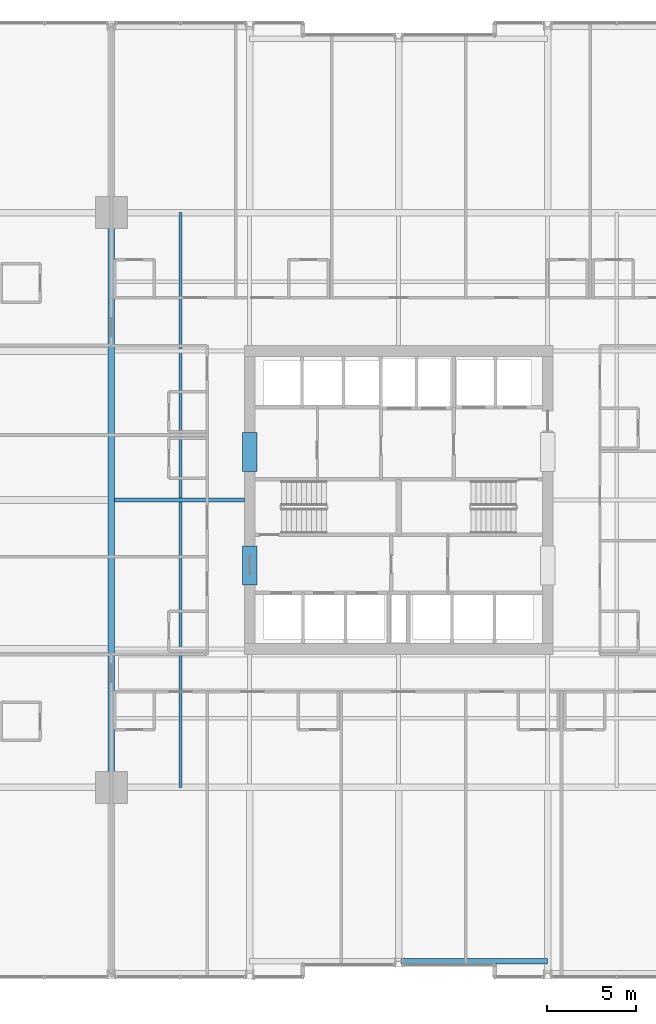
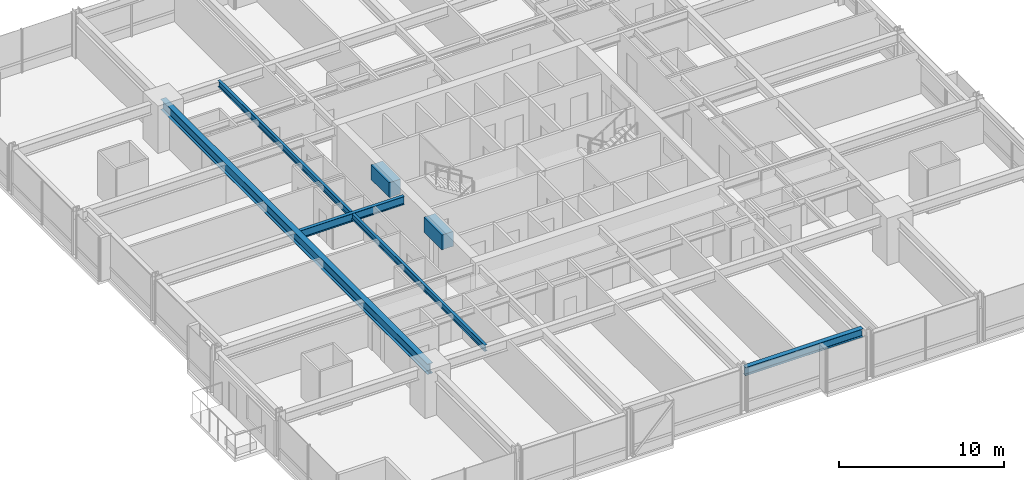
# One storey, part 10 of 38: 6 beams.
"""IFC4 building model written with IfcOpenShell, lengths in metres."""

from ifc_helpers import new_model, si_unit, direction, frame, origin, origin_2d, place, context, subcontext, project, spatial, rectangle, i_section, extrude, material, material_profile, profile_set, type_object, element, save


model = new_model("IFC4")

# Units and contexts
model_context = context("Model", 3, precision=1e-05, world=origin(), true_north=direction((0.0, 1.0)))
body_context = subcontext(model_context, "Body", "Model", "MODEL_VIEW")
ifc_project = project(units=[si_unit("LENGTHUNIT", "METRE"), si_unit("AREAUNIT", "SQUARE_METRE"), si_unit("VOLUMEUNIT", "CUBIC_METRE"), si_unit("PLANEANGLEUNIT", "RADIAN"), si_unit("MASSUNIT", "GRAM", prefix="KILO")], contexts=[model_context])

# Site, building, storey
site_placement = place(None, origin())
site = spatial("IfcSite", under=ifc_project, at=site_placement, CompositionType="ELEMENT")
building_placement = place(site_placement, origin())
building = spatial("IfcBuilding", under=site, at=building_placement, Name="Drelvath Grand Hotel", CompositionType="ELEMENT")
storey_placement = place(building_placement, frame((0.0, 0.0, 61.199951171875)))
storey = spatial("IfcBuildingStorey", under=building, at=storey_placement, Name="L14", CompositionType="ELEMENT", Elevation=61.199951171875)

# Beams
ifc_material_1 = material(Name="Steel ASTM A992 Gr 50", Category="steel")
ifc_material_profile_1 = material_profile(ifc_material_1, i_section(OverallWidth=0.19140625, OverallDepth=0.4599609375, WebThickness=0.010009765625, FlangeThickness=0.01611328125, FilletRadius=0.01611328125, at=origin_2d()), Name="W18X55")
ifc_profile_set_1 = profile_set([ifc_material_profile_1], Name="Steel ASTM A992 Gr 50")
beam_type_1 = type_object("IfcBeamType", Name="Composite Floor Joist W18X55", PredefinedType="JOIST", material=ifc_profile_set_1)
beam_1_placement = place(storey_placement, frame((-12.300048828125, 10.800048828125, 3.010009765625), z_axis=(0.0, 1.0, 0.0), x_axis=(-1.0, 0.0, 0.0)))
element("IfcBeam", 1, at=beam_1_placement, inside=storey, type_object=beam_type_1, Name="L14 Wing Floor Joist J3", PredefinedType="JOIST", context=body_context, shape_type="SweptSolid", body=[
    extrude(i_section(OverallWidth=0.19140625, OverallDepth=0.4599609375, WebThickness=0.010009765625, FlangeThickness=0.01611328125, FilletRadius=0.01611328125, at=origin_2d()), origin(), (0.0, 0.0, 1.0), 32.39990234375),
])
ifc_material_2 = material(Name="Concrete f'c 70 MPa", Category="concrete")
ifc_material_profile_2 = material_profile(ifc_material_2, rectangle(XDim=0.800048828125, YDim=1.10009765625, at=origin_2d()), Name="CB800X1100")
ifc_profile_set_2 = profile_set([ifc_material_profile_2], Name="Concrete f'c 70 MPa")
beam_type_2 = type_object("IfcBeamType", Name="Core Coupling Lintel CB800X1100", PredefinedType="LINTEL", material=ifc_profile_set_2)
for number, where, z_axis, x_axis, name in (
    (2, (-8.39990234375, 22.199951171875, 2.68994140625), (0.0, 1.0, 0.0), (-1.0, 0.0, 0.0), "L14 Core Coupling Lintel WS"),
    (3, (-8.39990234375, 28.60009765625, 2.68994140625), (0.0, 1.0, 0.0), (-1.0, 0.0, 0.0), "L14 Core Coupling Lintel WN"),
):
    element("IfcBeam", number, at=place(storey_placement, frame(where, z_axis=z_axis, x_axis=x_axis)), inside=storey, type_object=beam_type_2, Name=name, PredefinedType="LINTEL", context=body_context, shape_type="SweptSolid", body=[
        extrude(rectangle(XDim=0.800048828125, YDim=1.10009765625, at=origin_2d()), origin(), (0.0, 0.0, 1.0), 2.199951171875),
    ])
ifc_material_profile_3 = material_profile(ifc_material_1, i_section(OverallWidth=0.323974609375, OverallDepth=0.611083984375, WebThickness=0.0126953125, FlangeThickness=0.01904296875, FilletRadius=0.02197265625, at=origin_2d()), Name="W24X104")
ifc_profile_set_3 = profile_set([ifc_material_profile_3], Name="Steel ASTM A992 Gr 50")
beam_type_3 = type_object("IfcBeamType", Name="Perimeter Spandrel Beam W24X104", PredefinedType="SPANDREL", material=ifc_profile_set_3)
beam_2_placement = place(storey_placement, frame((0.139892578125, 1.0, 2.9345703125), z_axis=(1.0, 0.0, 0.0), x_axis=(0.0, 1.0, 0.0)))
element("IfcBeam", 4, at=beam_2_placement, inside=storey, type_object=beam_type_3, Name="L14 Spandrel South Mid E", PredefinedType="SPANDREL", context=body_context, shape_type="SweptSolid", body=[
    extrude(i_section(OverallWidth=0.323974609375, OverallDepth=0.611083984375, WebThickness=0.0126953125, FlangeThickness=0.01904296875, FilletRadius=0.02197265625, at=origin_2d()), origin(), (0.0, 0.0, 1.0), 8.260009765625),
])
ifc_material_profile_4 = material_profile(ifc_material_1, i_section(OverallWidth=0.228271484375, OverallDepth=0.607666015625, WebThickness=0.01123046875, FlangeThickness=0.017333984375, FilletRadius=0.02001953125, at=origin_2d()), Name="W24X76")
ifc_profile_set_4 = profile_set([ifc_material_profile_4], Name="Steel ASTM A992 Gr 50")
beam_type_4 = type_object("IfcBeamType", Name="Primary Floor Girder W24X76", PredefinedType="BEAM", material=ifc_profile_set_4)
beam_3_placement = place(storey_placement, frame((-16.009765625, 27.0, 2.936279296875), z_axis=(1.0, 0.0, 0.0), x_axis=(0.0, 1.0, 0.0)))
element("IfcBeam", 5, at=beam_3_placement, inside=storey, type_object=beam_type_4, Name="L14 West Core Tie E", PredefinedType="BEAM", context=body_context, shape_type="SweptSolid", body=[
    extrude(i_section(OverallWidth=0.228271484375, OverallDepth=0.607666015625, WebThickness=0.01123046875, FlangeThickness=0.017333984375, FilletRadius=0.02001953125, at=origin_2d()), origin(), (0.0, 0.0, 1.0), 7.309814453125),
])
ifc_material_profile_5 = material_profile(ifc_material_1, i_section(OverallWidth=0.380615234375, OverallDepth=0.773193359375, WebThickness=0.0166015625, FlangeThickness=0.027099609375, FilletRadius=0.02490234375, at=origin_2d()), Name="W30X173")
ifc_profile_set_5 = profile_set([ifc_material_profile_5], Name="Steel ASTM A992 Gr 50")
beam_type_5 = type_object("IfcBeamType", Name="Primary Floor Girder W30X173", PredefinedType="BEAM", material=ifc_profile_set_5)
beam_4_placement = place(storey_placement, frame((-16.199951171875, 10.800048828125, 2.853515625), z_axis=(0.0, 1.0, 0.0), x_axis=(-1.0, 0.0, 0.0)))
element("IfcBeam", 6, at=beam_4_placement, inside=storey, type_object=beam_type_5, Name="L14 Mega Ring Girder West", PredefinedType="BEAM", context=body_context, shape_type="SweptSolid", body=[
    extrude(i_section(OverallWidth=0.380615234375, OverallDepth=0.773193359375, WebThickness=0.0166015625, FlangeThickness=0.027099609375, FilletRadius=0.02490234375, at=origin_2d()), origin(), (0.0, 0.0, 1.0), 32.39990234375),
])

save(model, "model.ifc")
